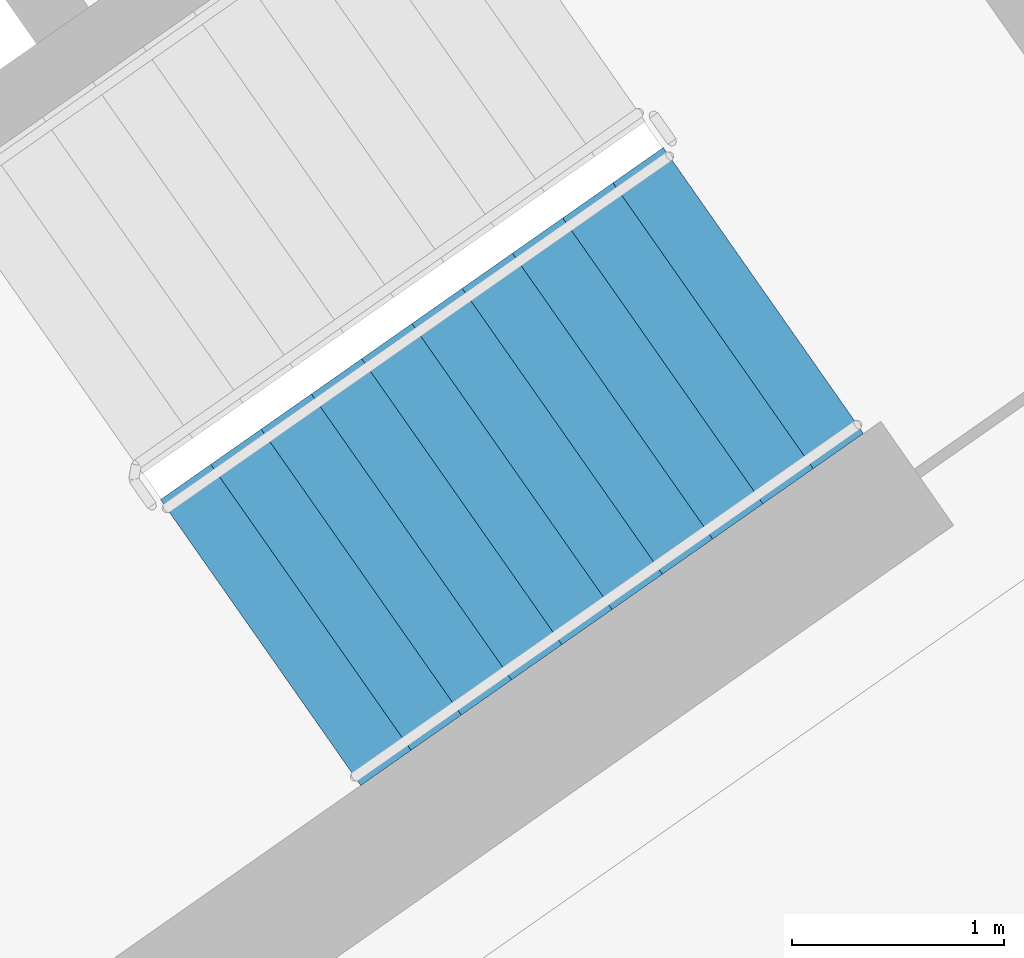
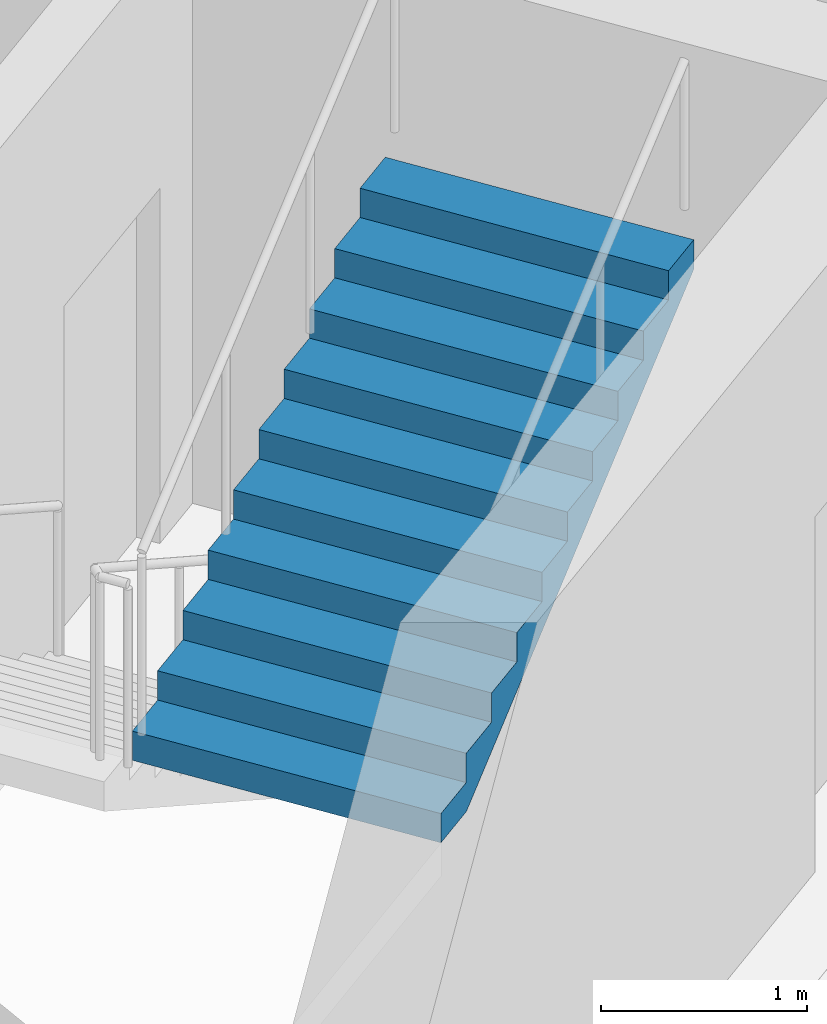
# One storey, part 14 of 28: 1 stair flight, 1 element without a shape of its own.
"""IFC4 building model written with IfcOpenShell, lengths in metres."""

from ifc_helpers import new_model, si_unit, direction, frame, origin, place, context, subcontext, project, spatial, faceted_brep, material, type_object, element, aggregate, save


model = new_model("IFC4")

# Units and contexts
model_context = context("Model", 3, precision=1e-05, world=origin(), true_north=direction((0.0, 1.0)))
body_context = subcontext(model_context, "Body", "Model", "MODEL_VIEW")
ifc_project = project(units=[si_unit("LENGTHUNIT", "METRE"), si_unit("AREAUNIT", "SQUARE_METRE"), si_unit("VOLUMEUNIT", "CUBIC_METRE"), si_unit("PLANEANGLEUNIT", "RADIAN"), si_unit("MASSUNIT", "GRAM", prefix="KILO")], contexts=[model_context])

# Site, building, storey
site_placement = place(None, origin())
site = spatial("IfcSite", under=ifc_project, at=site_placement, CompositionType="ELEMENT")
building_placement = place(site_placement, origin())
building = spatial("IfcBuilding", under=site, at=building_placement, Name="Qamariyya Broadcast Tower", CompositionType="ELEMENT")
storey_placement = place(building_placement, frame((0.0, 0.0, 277.10009765625)))
storey = spatial("IfcBuildingStorey", under=building, at=storey_placement, Name="L67", CompositionType="ELEMENT", Elevation=277.10009765625)

# Stair, stair flight
ifc_material = material(Name="Concrete C50/60", Category="concrete")
stair_type = type_object("IfcStairType", Name="Exit stair 22 risers of 173 mm", PredefinedType="HALF_TURN_STAIR", material=ifc_material)
stair_placement = place(storey_placement, origin())
stair = element("IfcStair", 1, at=stair_placement, inside=storey, type_object=stair_type, Name="L67 Stair E1", PredefinedType="HALF_TURN_STAIR")
stair_flight_type = type_object("IfcStairFlightType", Name="Exit stair flight 11 risers of 173 mm", PredefinedType="STRAIGHT", material=ifc_material)
stair_flight_placement = place(storey_placement, frame((44.693359375, -58.64599609375, 1.89990234375), z_axis=(0.0, 0.0, 1.0), x_axis=(0.819152044289, 0.573576436351, 0.0)))
stair_flight = element("IfcStairFlight", 2, at=stair_flight_placement, type_object=stair_flight_type, Name="ST-E1 flight 2", NumberOfRisers=11, NumberOfTreads=10, PredefinedType="STRAIGHT", RiserHeight=0.172727273, TreadLength=0.29, context=body_context, shape_type="Brep", body=[
    faceted_brep([(0.0, 0.824951171875, 0.0), (0.0, 0.824951171875, 0.172607421875), (0.2900390625, 0.824951171875, 0.172607421875), (0.2900390625, 0.824951171875, 0.345458984375), (0.580078125, 0.824951171875, 0.345458984375), (0.580078125, 0.824951171875, 0.51806640625), (0.8701171875, 0.824951171875, 0.51806640625), (0.8701171875, 0.824951171875, 0.69091796875), (1.159912109375, 0.824951171875, 0.69091796875), (1.159912109375, 0.824951171875, 0.863525390625), (1.449951171875, 0.824951171875, 0.863525390625), (1.449951171875, 0.824951171875, 1.036376953125), (1.739990234375, 0.824951171875, 1.036376953125), (1.739990234375, 0.824951171875, 1.208984375), (2.030029296875, 0.824951171875, 1.208984375), (2.030029296875, 0.824951171875, 1.3818359375), (2.320068359375, 0.824951171875, 1.3818359375), (2.320068359375, 0.824951171875, 1.554443359375), (2.610107421875, 0.824951171875, 1.554443359375), (2.610107421875, 0.824951171875, 1.727294921875), (2.89990234375, 0.824951171875, 1.727294921875), (2.89990234375, 0.824951171875, 1.552734375), (0.29296875, 0.824951171875, 0.0), (0.29296875, -0.824951171875, 0.0), (2.89990234375, -0.824951171875, 1.552734375), (2.89990234375, -0.824951171875, 1.727294921875), (2.610107421875, -0.824951171875, 1.727294921875), (2.610107421875, -0.824951171875, 1.554443359375), (2.320068359375, -0.824951171875, 1.554443359375), (2.320068359375, -0.824951171875, 1.3818359375), (2.030029296875, -0.824951171875, 1.3818359375), (2.030029296875, -0.824951171875, 1.208984375), (1.739990234375, -0.824951171875, 1.208984375), (1.739990234375, -0.824951171875, 1.036376953125), (1.449951171875, -0.824951171875, 1.036376953125), (1.449951171875, -0.824951171875, 0.863525390625), (1.159912109375, -0.824951171875, 0.863525390625), (1.159912109375, -0.824951171875, 0.69091796875), (0.8701171875, -0.824951171875, 0.69091796875), (0.8701171875, -0.824951171875, 0.51806640625), (0.580078125, -0.824951171875, 0.51806640625), (0.580078125, -0.824951171875, 0.345458984375), (0.2900390625, -0.824951171875, 0.345458984375), (0.2900390625, -0.824951171875, 0.172607421875), (0.0, -0.824951171875, 0.172607421875), (0.0, -0.824951171875, 0.0), (0.0, 0.10009765625, 0.0), (0.0, 0.086669921875, 0.0), (0.0, 0.0732421875, 0.0), (0.0, 0.06005859375, 0.0), (0.0, 0.046630859375, 0.0), (0.0, 0.033447265625, 0.0), (0.0, 0.02001953125, 0.0), (0.0, 0.006591796875, 0.0), (0.0, -0.006591796875, 0.0), (0.0, -0.02001953125, 0.0), (0.0, -0.033447265625, 0.0), (0.0, -0.046630859375, 0.0), (0.0, -0.06005859375, 0.0), (0.0, -0.0732421875, 0.0), (0.0, -0.086669921875, 0.0), (0.0, -0.10009765625, 0.0), (0.0, -0.10009765625, 0.172607421875), (0.0, -0.086669921875, 0.172607421875), (0.0, -0.0732421875, 0.172607421875), (0.0, -0.06005859375, 0.172607421875), (0.0, -0.046630859375, 0.172607421875), (0.0, -0.033447265625, 0.172607421875), (0.0, -0.02001953125, 0.172607421875), (0.0, -0.006591796875, 0.172607421875), (0.0, 0.006591796875, 0.172607421875), (0.0, 0.02001953125, 0.172607421875), (0.0, 0.033447265625, 0.172607421875), (0.0, 0.046630859375, 0.172607421875), (0.0, 0.06005859375, 0.172607421875), (0.0, 0.0732421875, 0.172607421875), (0.0, 0.086669921875, 0.172607421875), (0.0, 0.10009765625, 0.172607421875), (0.2900390625, -0.10009765625, 0.172607421875), (0.2900390625, -0.086669921875, 0.172607421875), (0.2900390625, -0.0732421875, 0.172607421875), (0.2900390625, -0.06005859375, 0.172607421875), (0.2900390625, -0.046630859375, 0.172607421875), (0.2900390625, -0.033447265625, 0.172607421875), (0.2900390625, -0.02001953125, 0.172607421875), (0.2900390625, -0.006591796875, 0.172607421875), (0.2900390625, 0.006591796875, 0.172607421875), (0.2900390625, 0.02001953125, 0.172607421875), (0.2900390625, 0.033447265625, 0.172607421875), (0.2900390625, 0.046630859375, 0.172607421875), (0.2900390625, 0.06005859375, 0.172607421875), (0.2900390625, 0.0732421875, 0.172607421875), (0.2900390625, 0.086669921875, 0.172607421875), (0.2900390625, 0.10009765625, 0.172607421875), (0.2900390625, -0.10009765625, 0.345458984375), (0.2900390625, -0.086669921875, 0.345458984375), (0.2900390625, -0.0732421875, 0.345458984375), (0.2900390625, -0.06005859375, 0.345458984375), (0.2900390625, -0.046630859375, 0.345458984375), (0.2900390625, -0.033447265625, 0.345458984375), (0.2900390625, -0.02001953125, 0.345458984375), (0.2900390625, -0.006591796875, 0.345458984375), (0.2900390625, 0.006591796875, 0.345458984375), (0.2900390625, 0.02001953125, 0.345458984375), (0.2900390625, 0.033447265625, 0.345458984375), (0.2900390625, 0.046630859375, 0.345458984375), (0.2900390625, 0.06005859375, 0.345458984375), (0.2900390625, 0.0732421875, 0.345458984375), (0.2900390625, 0.086669921875, 0.345458984375), (0.2900390625, 0.10009765625, 0.345458984375), (0.580078125, -0.10009765625, 0.345458984375), (0.580078125, -0.086669921875, 0.345458984375), (0.580078125, -0.0732421875, 0.345458984375), (0.580078125, -0.06005859375, 0.345458984375), (0.580078125, -0.046630859375, 0.345458984375), (0.580078125, -0.033447265625, 0.345458984375), (0.580078125, -0.02001953125, 0.345458984375), (0.580078125, -0.006591796875, 0.345458984375), (0.580078125, 0.006591796875, 0.345458984375), (0.580078125, 0.02001953125, 0.345458984375), (0.580078125, 0.033447265625, 0.345458984375), (0.580078125, 0.046630859375, 0.345458984375), (0.580078125, 0.06005859375, 0.345458984375), (0.580078125, 0.0732421875, 0.345458984375), (0.580078125, 0.086669921875, 0.345458984375), (0.580078125, 0.10009765625, 0.345458984375), (0.580078125, -0.10009765625, 0.51806640625), (0.580078125, -0.086669921875, 0.51806640625), (0.580078125, -0.0732421875, 0.51806640625), (0.580078125, -0.06005859375, 0.51806640625), (0.580078125, -0.046630859375, 0.51806640625), (0.580078125, -0.033447265625, 0.51806640625), (0.580078125, -0.02001953125, 0.51806640625), (0.580078125, -0.006591796875, 0.51806640625), (0.580078125, 0.006591796875, 0.51806640625), (0.580078125, 0.02001953125, 0.51806640625), (0.580078125, 0.033447265625, 0.51806640625), (0.580078125, 0.046630859375, 0.51806640625), (0.580078125, 0.06005859375, 0.51806640625), (0.580078125, 0.0732421875, 0.51806640625), (0.580078125, 0.086669921875, 0.51806640625), (0.580078125, 0.10009765625, 0.51806640625), (0.8701171875, -0.10009765625, 0.51806640625), (0.8701171875, -0.086669921875, 0.51806640625), (0.8701171875, -0.0732421875, 0.51806640625), (0.8701171875, -0.06005859375, 0.51806640625), (0.8701171875, -0.046630859375, 0.51806640625), (0.8701171875, -0.033447265625, 0.51806640625), (0.8701171875, -0.02001953125, 0.51806640625), (0.8701171875, -0.006591796875, 0.51806640625), (0.8701171875, 0.006591796875, 0.51806640625), (0.8701171875, 0.02001953125, 0.51806640625), (0.8701171875, 0.033447265625, 0.51806640625), (0.8701171875, 0.046630859375, 0.51806640625), (0.8701171875, 0.06005859375, 0.51806640625), (0.8701171875, 0.0732421875, 0.51806640625), (0.8701171875, 0.086669921875, 0.51806640625), (0.8701171875, 0.10009765625, 0.51806640625), (0.8701171875, -0.10009765625, 0.69091796875), (0.8701171875, -0.086669921875, 0.69091796875), (0.8701171875, -0.0732421875, 0.69091796875), (0.8701171875, -0.06005859375, 0.69091796875), (0.8701171875, -0.046630859375, 0.69091796875), (0.8701171875, -0.033447265625, 0.69091796875), (0.8701171875, -0.02001953125, 0.69091796875), (0.8701171875, -0.006591796875, 0.69091796875), (0.8701171875, 0.006591796875, 0.69091796875), (0.8701171875, 0.02001953125, 0.69091796875), (0.8701171875, 0.033447265625, 0.69091796875), (0.8701171875, 0.046630859375, 0.69091796875), (0.8701171875, 0.06005859375, 0.69091796875), (0.8701171875, 0.0732421875, 0.69091796875), (0.8701171875, 0.086669921875, 0.69091796875), (0.8701171875, 0.10009765625, 0.69091796875), (1.159912109375, -0.10009765625, 0.69091796875), (1.159912109375, -0.086669921875, 0.69091796875), (1.159912109375, -0.0732421875, 0.69091796875), (1.159912109375, -0.06005859375, 0.69091796875), (1.159912109375, -0.046630859375, 0.69091796875), (1.159912109375, -0.033447265625, 0.69091796875), (1.159912109375, -0.02001953125, 0.69091796875), (1.159912109375, -0.006591796875, 0.69091796875), (1.159912109375, 0.006591796875, 0.69091796875), (1.159912109375, 0.02001953125, 0.69091796875), (1.159912109375, 0.033447265625, 0.69091796875), (1.159912109375, 0.046630859375, 0.69091796875), (1.159912109375, 0.06005859375, 0.69091796875), (1.159912109375, 0.0732421875, 0.69091796875), (1.159912109375, 0.086669921875, 0.69091796875), (1.159912109375, 0.10009765625, 0.69091796875), (1.159912109375, -0.10009765625, 0.863525390625), (1.159912109375, -0.086669921875, 0.863525390625), (1.159912109375, -0.0732421875, 0.863525390625), (1.159912109375, -0.06005859375, 0.863525390625), (1.159912109375, -0.046630859375, 0.863525390625), (1.159912109375, -0.033447265625, 0.863525390625), (1.159912109375, -0.02001953125, 0.863525390625), (1.159912109375, -0.006591796875, 0.863525390625), (1.159912109375, 0.006591796875, 0.863525390625), (1.159912109375, 0.02001953125, 0.863525390625), (1.159912109375, 0.033447265625, 0.863525390625), (1.159912109375, 0.046630859375, 0.863525390625), (1.159912109375, 0.06005859375, 0.863525390625), (1.159912109375, 0.0732421875, 0.863525390625), (1.159912109375, 0.086669921875, 0.863525390625), (1.159912109375, 0.10009765625, 0.863525390625), (1.449951171875, -0.10009765625, 0.863525390625), (1.449951171875, -0.086669921875, 0.863525390625), (1.449951171875, -0.0732421875, 0.863525390625), (1.449951171875, -0.06005859375, 0.863525390625), (1.449951171875, -0.046630859375, 0.863525390625), (1.449951171875, -0.033447265625, 0.863525390625), (1.449951171875, -0.02001953125, 0.863525390625), (1.449951171875, -0.006591796875, 0.863525390625), (1.449951171875, 0.006591796875, 0.863525390625), (1.449951171875, 0.02001953125, 0.863525390625), (1.449951171875, 0.033447265625, 0.863525390625), (1.449951171875, 0.046630859375, 0.863525390625), (1.449951171875, 0.06005859375, 0.863525390625), (1.449951171875, 0.0732421875, 0.863525390625), (1.449951171875, 0.086669921875, 0.863525390625), (1.449951171875, 0.10009765625, 0.863525390625), (1.449951171875, -0.10009765625, 1.036376953125), (1.449951171875, -0.086669921875, 1.036376953125), (1.449951171875, -0.0732421875, 1.036376953125), (1.449951171875, -0.06005859375, 1.036376953125), (1.449951171875, -0.046630859375, 1.036376953125), (1.449951171875, -0.033447265625, 1.036376953125), (1.449951171875, -0.02001953125, 1.036376953125), (1.449951171875, -0.006591796875, 1.036376953125), (1.449951171875, 0.006591796875, 1.036376953125), (1.449951171875, 0.02001953125, 1.036376953125), (1.449951171875, 0.033447265625, 1.036376953125), (1.449951171875, 0.046630859375, 1.036376953125), (1.449951171875, 0.06005859375, 1.036376953125), (1.449951171875, 0.0732421875, 1.036376953125), (1.449951171875, 0.086669921875, 1.036376953125), (1.449951171875, 0.10009765625, 1.036376953125), (1.739990234375, -0.10009765625, 1.036376953125), (1.739990234375, -0.086669921875, 1.036376953125), (1.739990234375, -0.0732421875, 1.036376953125), (1.739990234375, -0.06005859375, 1.036376953125), (1.739990234375, -0.046630859375, 1.036376953125), (1.739990234375, -0.033447265625, 1.036376953125), (1.739990234375, -0.02001953125, 1.036376953125), (1.739990234375, -0.006591796875, 1.036376953125), (1.739990234375, 0.006591796875, 1.036376953125), (1.739990234375, 0.02001953125, 1.036376953125), (1.739990234375, 0.033447265625, 1.036376953125), (1.739990234375, 0.046630859375, 1.036376953125), (1.739990234375, 0.06005859375, 1.036376953125), (1.739990234375, 0.0732421875, 1.036376953125), (1.739990234375, 0.086669921875, 1.036376953125), (1.739990234375, 0.10009765625, 1.036376953125), (1.739990234375, -0.10009765625, 1.208984375), (1.739990234375, -0.086669921875, 1.208984375), (1.739990234375, -0.0732421875, 1.208984375), (1.739990234375, -0.06005859375, 1.208984375), (1.739990234375, -0.046630859375, 1.208984375), (1.739990234375, -0.033447265625, 1.208984375), (1.739990234375, -0.02001953125, 1.208984375), (1.739990234375, -0.006591796875, 1.208984375), (1.739990234375, 0.006591796875, 1.208984375), (1.739990234375, 0.02001953125, 1.208984375), (1.739990234375, 0.033447265625, 1.208984375), (1.739990234375, 0.046630859375, 1.208984375), (1.739990234375, 0.06005859375, 1.208984375), (1.739990234375, 0.0732421875, 1.208984375), (1.739990234375, 0.086669921875, 1.208984375), (1.739990234375, 0.10009765625, 1.208984375), (2.030029296875, -0.10009765625, 1.208984375), (2.030029296875, -0.086669921875, 1.208984375), (2.030029296875, -0.0732421875, 1.208984375), (2.030029296875, -0.06005859375, 1.208984375), (2.030029296875, -0.046630859375, 1.208984375), (2.030029296875, -0.033447265625, 1.208984375), (2.030029296875, -0.02001953125, 1.208984375), (2.030029296875, -0.006591796875, 1.208984375), (2.030029296875, 0.006591796875, 1.208984375), (2.030029296875, 0.02001953125, 1.208984375), (2.030029296875, 0.033447265625, 1.208984375), (2.030029296875, 0.046630859375, 1.208984375), (2.030029296875, 0.06005859375, 1.208984375), (2.030029296875, 0.0732421875, 1.208984375), (2.030029296875, 0.086669921875, 1.208984375), (2.030029296875, 0.10009765625, 1.208984375), (2.030029296875, -0.10009765625, 1.3818359375), (2.030029296875, -0.086669921875, 1.3818359375), (2.030029296875, -0.0732421875, 1.3818359375), (2.030029296875, -0.06005859375, 1.3818359375), (2.030029296875, -0.046630859375, 1.3818359375), (2.030029296875, -0.033447265625, 1.3818359375), (2.030029296875, -0.02001953125, 1.3818359375), (2.030029296875, -0.006591796875, 1.3818359375), (2.030029296875, 0.006591796875, 1.3818359375), (2.030029296875, 0.02001953125, 1.3818359375), (2.030029296875, 0.033447265625, 1.3818359375), (2.030029296875, 0.046630859375, 1.3818359375), (2.030029296875, 0.06005859375, 1.3818359375), (2.030029296875, 0.0732421875, 1.3818359375), (2.030029296875, 0.086669921875, 1.3818359375), (2.030029296875, 0.10009765625, 1.3818359375), (2.320068359375, -0.10009765625, 1.3818359375), (2.320068359375, -0.086669921875, 1.3818359375), (2.320068359375, -0.0732421875, 1.3818359375), (2.320068359375, -0.06005859375, 1.3818359375), (2.320068359375, -0.046630859375, 1.3818359375), (2.320068359375, -0.033447265625, 1.3818359375), (2.320068359375, -0.02001953125, 1.3818359375), (2.320068359375, -0.006591796875, 1.3818359375), (2.320068359375, 0.006591796875, 1.3818359375), (2.320068359375, 0.02001953125, 1.3818359375), (2.320068359375, 0.033447265625, 1.3818359375), (2.320068359375, 0.046630859375, 1.3818359375), (2.320068359375, 0.06005859375, 1.3818359375), (2.320068359375, 0.0732421875, 1.3818359375), (2.320068359375, 0.086669921875, 1.3818359375), (2.320068359375, 0.10009765625, 1.3818359375), (2.320068359375, -0.10009765625, 1.554443359375), (2.320068359375, -0.086669921875, 1.554443359375), (2.320068359375, -0.0732421875, 1.554443359375), (2.320068359375, -0.06005859375, 1.554443359375), (2.320068359375, -0.046630859375, 1.554443359375), (2.320068359375, -0.033447265625, 1.554443359375), (2.320068359375, -0.02001953125, 1.554443359375), (2.320068359375, -0.006591796875, 1.554443359375), (2.320068359375, 0.006591796875, 1.554443359375), (2.320068359375, 0.02001953125, 1.554443359375), (2.320068359375, 0.033447265625, 1.554443359375), (2.320068359375, 0.046630859375, 1.554443359375), (2.320068359375, 0.06005859375, 1.554443359375), (2.320068359375, 0.0732421875, 1.554443359375), (2.320068359375, 0.086669921875, 1.554443359375), (2.320068359375, 0.10009765625, 1.554443359375), (2.610107421875, -0.10009765625, 1.554443359375), (2.610107421875, -0.086669921875, 1.554443359375), (2.610107421875, -0.0732421875, 1.554443359375), (2.610107421875, -0.06005859375, 1.554443359375), (2.610107421875, -0.046630859375, 1.554443359375), (2.610107421875, -0.033447265625, 1.554443359375), (2.610107421875, -0.02001953125, 1.554443359375), (2.610107421875, -0.006591796875, 1.554443359375), (2.610107421875, 0.006591796875, 1.554443359375), (2.610107421875, 0.02001953125, 1.554443359375), (2.610107421875, 0.033447265625, 1.554443359375), (2.610107421875, 0.046630859375, 1.554443359375), (2.610107421875, 0.06005859375, 1.554443359375), (2.610107421875, 0.0732421875, 1.554443359375), (2.610107421875, 0.086669921875, 1.554443359375), (2.610107421875, 0.10009765625, 1.554443359375), (2.610107421875, -0.10009765625, 1.727294921875), (2.610107421875, -0.086669921875, 1.727294921875), (2.610107421875, -0.0732421875, 1.727294921875), (2.610107421875, -0.06005859375, 1.727294921875), (2.610107421875, -0.046630859375, 1.727294921875), (2.610107421875, -0.033447265625, 1.727294921875), (2.610107421875, -0.02001953125, 1.727294921875), (2.610107421875, -0.006591796875, 1.727294921875), (2.610107421875, 0.006591796875, 1.727294921875), (2.610107421875, 0.02001953125, 1.727294921875), (2.610107421875, 0.033447265625, 1.727294921875), (2.610107421875, 0.046630859375, 1.727294921875), (2.610107421875, 0.06005859375, 1.727294921875), (2.610107421875, 0.0732421875, 1.727294921875), (2.610107421875, 0.086669921875, 1.727294921875), (2.610107421875, 0.10009765625, 1.727294921875), (2.89990234375, -0.10009765625, 1.727294921875), (2.89990234375, -0.086669921875, 1.727294921875), (2.89990234375, -0.0732421875, 1.727294921875), (2.89990234375, -0.06005859375, 1.727294921875), (2.89990234375, -0.046630859375, 1.727294921875), (2.89990234375, -0.033447265625, 1.727294921875), (2.89990234375, -0.02001953125, 1.727294921875), (2.89990234375, -0.006591796875, 1.727294921875), (2.89990234375, 0.006591796875, 1.727294921875), (2.89990234375, 0.02001953125, 1.727294921875), (2.89990234375, 0.033447265625, 1.727294921875), (2.89990234375, 0.046630859375, 1.727294921875), (2.89990234375, 0.06005859375, 1.727294921875), (2.89990234375, 0.0732421875, 1.727294921875), (2.89990234375, 0.086669921875, 1.727294921875), (2.89990234375, 0.10009765625, 1.727294921875), (2.89990234375, -0.10009765625, 1.552734375), (2.89990234375, -0.086669921875, 1.552734375), (2.89990234375, -0.0732421875, 1.552734375), (2.89990234375, -0.06005859375, 1.552734375), (2.89990234375, -0.046630859375, 1.552734375), (2.89990234375, -0.033447265625, 1.552734375), (2.89990234375, -0.02001953125, 1.552734375), (2.89990234375, -0.006591796875, 1.552734375), (2.89990234375, 0.006591796875, 1.552734375), (2.89990234375, 0.02001953125, 1.552734375), (2.89990234375, 0.033447265625, 1.552734375), (2.89990234375, 0.046630859375, 1.552734375), (2.89990234375, 0.06005859375, 1.552734375), (2.89990234375, 0.0732421875, 1.552734375), (2.89990234375, 0.086669921875, 1.552734375), (2.89990234375, 0.10009765625, 1.552734375), (0.29296875, -0.10009765625, 0.0), (0.29296875, -0.086669921875, 0.0), (0.29296875, -0.0732421875, 0.0), (0.29296875, -0.06005859375, 0.0), (0.29296875, -0.046630859375, 0.0), (0.29296875, -0.033447265625, 0.0), (0.29296875, -0.02001953125, 0.0), (0.29296875, -0.006591796875, 0.0), (0.29296875, 0.006591796875, 0.0), (0.29296875, 0.02001953125, 0.0), (0.29296875, 0.033447265625, 0.0), (0.29296875, 0.046630859375, 0.0), (0.29296875, 0.06005859375, 0.0), (0.29296875, 0.0732421875, 0.0), (0.29296875, 0.086669921875, 0.0), (0.29296875, 0.10009765625, 0.0)], [[[0, 1, 2, 3, 4, 5, 6, 7, 8, 9, 10, 11, 12, 13, 14, 15, 16, 17, 18, 19, 20, 21, 22]], [[23, 24, 25, 26, 27, 28, 29, 30, 31, 32, 33, 34, 35, 36, 37, 38, 39, 40, 41, 42, 43, 44, 45]], [[0, 46, 47, 48, 49, 50, 51, 52, 53, 54, 55, 56, 57, 58, 59, 60, 61, 45, 44, 62, 63, 64, 65, 66, 67, 68, 69, 70, 71, 72, 73, 74, 75, 76, 77, 1]], [[1, 77, 76, 75, 74, 73, 72, 71, 70, 69, 68, 67, 66, 65, 64, 63, 62, 44, 43, 78, 79, 80, 81, 82, 83, 84, 85, 86, 87, 88, 89, 90, 91, 92, 93, 2]], [[2, 93, 92, 91, 90, 89, 88, 87, 86, 85, 84, 83, 82, 81, 80, 79, 78, 43, 42, 94, 95, 96, 97, 98, 99, 100, 101, 102, 103, 104, 105, 106, 107, 108, 109, 3]], [[3, 109, 108, 107, 106, 105, 104, 103, 102, 101, 100, 99, 98, 97, 96, 95, 94, 42, 41, 110, 111, 112, 113, 114, 115, 116, 117, 118, 119, 120, 121, 122, 123, 124, 125, 4]], [[4, 125, 124, 123, 122, 121, 120, 119, 118, 117, 116, 115, 114, 113, 112, 111, 110, 41, 40, 126, 127, 128, 129, 130, 131, 132, 133, 134, 135, 136, 137, 138, 139, 140, 141, 5]], [[5, 141, 140, 139, 138, 137, 136, 135, 134, 133, 132, 131, 130, 129, 128, 127, 126, 40, 39, 142, 143, 144, 145, 146, 147, 148, 149, 150, 151, 152, 153, 154, 155, 156, 157, 6]], [[6, 157, 156, 155, 154, 153, 152, 151, 150, 149, 148, 147, 146, 145, 144, 143, 142, 39, 38, 158, 159, 160, 161, 162, 163, 164, 165, 166, 167, 168, 169, 170, 171, 172, 173, 7]], [[7, 173, 172, 171, 170, 169, 168, 167, 166, 165, 164, 163, 162, 161, 160, 159, 158, 38, 37, 174, 175, 176, 177, 178, 179, 180, 181, 182, 183, 184, 185, 186, 187, 188, 189, 8]], [[8, 189, 188, 187, 186, 185, 184, 183, 182, 181, 180, 179, 178, 177, 176, 175, 174, 37, 36, 190, 191, 192, 193, 194, 195, 196, 197, 198, 199, 200, 201, 202, 203, 204, 205, 9]], [[9, 205, 204, 203, 202, 201, 200, 199, 198, 197, 196, 195, 194, 193, 192, 191, 190, 36, 35, 206, 207, 208, 209, 210, 211, 212, 213, 214, 215, 216, 217, 218, 219, 220, 221, 10]], [[10, 221, 220, 219, 218, 217, 216, 215, 214, 213, 212, 211, 210, 209, 208, 207, 206, 35, 34, 222, 223, 224, 225, 226, 227, 228, 229, 230, 231, 232, 233, 234, 235, 236, 237, 11]], [[11, 237, 236, 235, 234, 233, 232, 231, 230, 229, 228, 227, 226, 225, 224, 223, 222, 34, 33, 238, 239, 240, 241, 242, 243, 244, 245, 246, 247, 248, 249, 250, 251, 252, 253, 12]], [[12, 253, 252, 251, 250, 249, 248, 247, 246, 245, 244, 243, 242, 241, 240, 239, 238, 33, 32, 254, 255, 256, 257, 258, 259, 260, 261, 262, 263, 264, 265, 266, 267, 268, 269, 13]], [[13, 269, 268, 267, 266, 265, 264, 263, 262, 261, 260, 259, 258, 257, 256, 255, 254, 32, 31, 270, 271, 272, 273, 274, 275, 276, 277, 278, 279, 280, 281, 282, 283, 284, 285, 14]], [[14, 285, 284, 283, 282, 281, 280, 279, 278, 277, 276, 275, 274, 273, 272, 271, 270, 31, 30, 286, 287, 288, 289, 290, 291, 292, 293, 294, 295, 296, 297, 298, 299, 300, 301, 15]], [[15, 301, 300, 299, 298, 297, 296, 295, 294, 293, 292, 291, 290, 289, 288, 287, 286, 30, 29, 302, 303, 304, 305, 306, 307, 308, 309, 310, 311, 312, 313, 314, 315, 316, 317, 16]], [[16, 317, 316, 315, 314, 313, 312, 311, 310, 309, 308, 307, 306, 305, 304, 303, 302, 29, 28, 318, 319, 320, 321, 322, 323, 324, 325, 326, 327, 328, 329, 330, 331, 332, 333, 17]], [[17, 333, 332, 331, 330, 329, 328, 327, 326, 325, 324, 323, 322, 321, 320, 319, 318, 28, 27, 334, 335, 336, 337, 338, 339, 340, 341, 342, 343, 344, 345, 346, 347, 348, 349, 18]], [[18, 349, 348, 347, 346, 345, 344, 343, 342, 341, 340, 339, 338, 337, 336, 335, 334, 27, 26, 350, 351, 352, 353, 354, 355, 356, 357, 358, 359, 360, 361, 362, 363, 364, 365, 19]], [[19, 365, 364, 363, 362, 361, 360, 359, 358, 357, 356, 355, 354, 353, 352, 351, 350, 26, 25, 366, 367, 368, 369, 370, 371, 372, 373, 374, 375, 376, 377, 378, 379, 380, 381, 20]], [[20, 381, 380, 379, 378, 377, 376, 375, 374, 373, 372, 371, 370, 369, 368, 367, 366, 25, 24, 382, 383, 384, 385, 386, 387, 388, 389, 390, 391, 392, 393, 394, 395, 396, 397, 21]], [[21, 397, 396, 395, 394, 393, 392, 391, 390, 389, 388, 387, 386, 385, 384, 383, 382, 24, 23, 398, 399, 400, 401, 402, 403, 404, 405, 406, 407, 408, 409, 410, 411, 412, 413, 22]], [[22, 413, 412, 411, 410, 409, 408, 407, 406, 405, 404, 403, 402, 401, 400, 399, 398, 23, 45, 61, 60, 59, 58, 57, 56, 55, 54, 53, 52, 51, 50, 49, 48, 47, 46, 0]]]),
])
aggregate(stair, [stair_flight])

save(model, "model.ifc")
